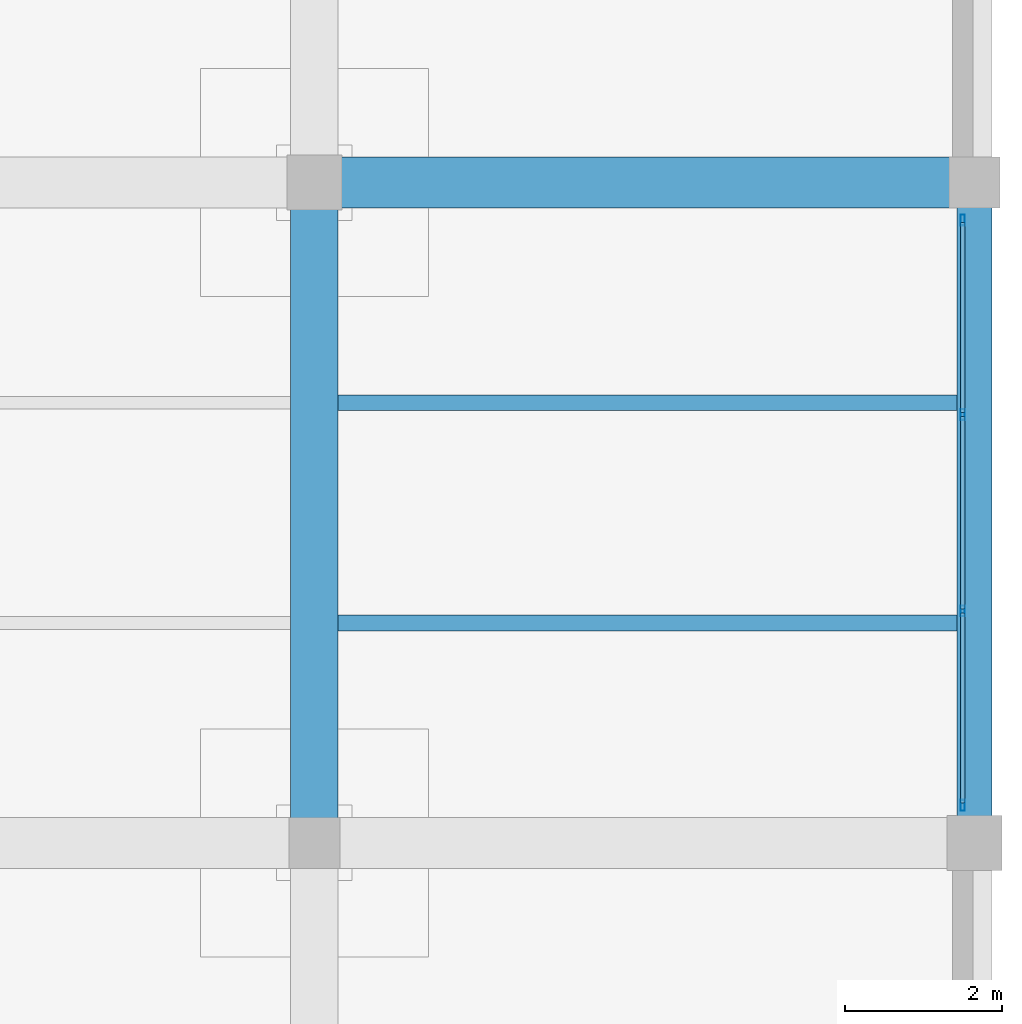
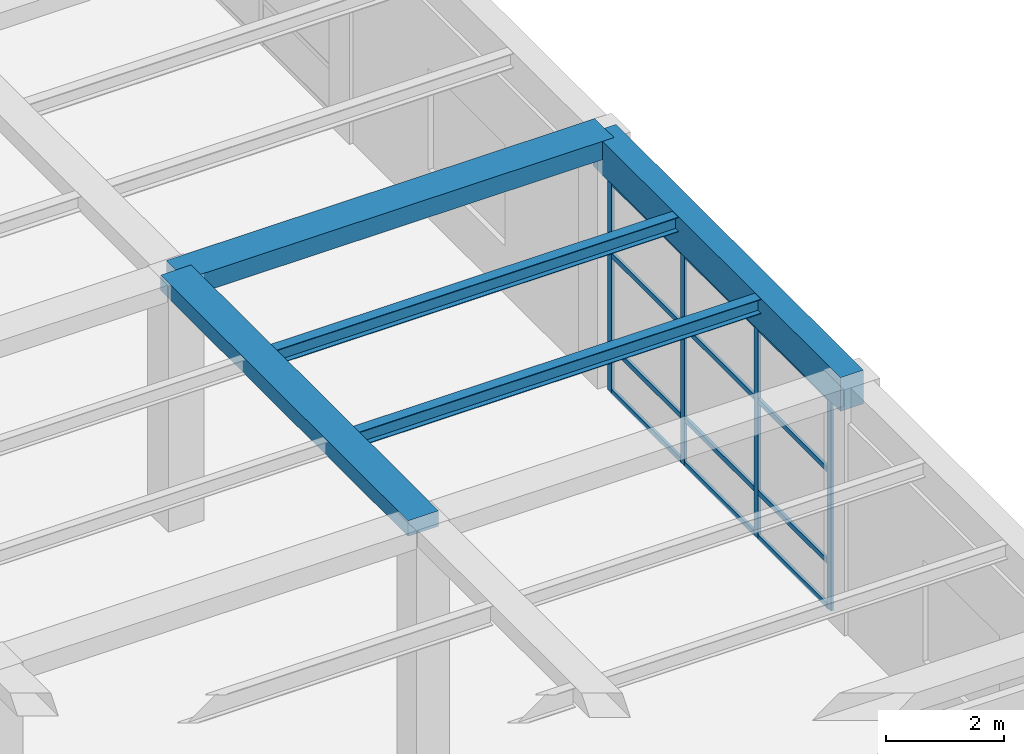
# One storey, part 54 of 95: 16 members, 5 beams, 1 element without a shape of its own.
"""IFC4 building model written with IfcOpenShell, lengths in metres."""

import ifcopenshell
import ifcopenshell.guid

model = None  # the IFC model being written
_history = None  # IfcOwnerHistory: only IFC2X3 demands one
_inside = {}  # id of a spatial element -> (the spatial element, [elements in it])
_under = {}  # id of a project, library or spatial element -> (it, [spatial elements below it])
_declared = {}  # id of a project -> (the project, [libraries it declares])
_typed = {}  # id of a type object -> (the type object, [elements of that type])
_made_of = {}  # id of a material, layer set ... -> (it, [elements and type objects made of it])


def new_model(schema):
    """Start an empty IFC model of exactly this schema.

    Asked for "IFC4X3", IfcOpenShell would pick the latest addendum, in which some entities
    have other attributes; the version numbers below select the first issue.
    IFC2X3 requires an IfcOwnerHistory on every rooted entity: one is made here for all.
    """
    global model, _history
    if schema == "IFC4X3":
        model = ifcopenshell.file(schema_version=(4, 3, 0, 0))
    else:
        model = ifcopenshell.file(schema=schema)
    _inside.clear()
    _under.clear()
    _declared.clear()
    _typed.clear()
    _made_of.clear()
    _history = None
    if model.schema == "IFC2X3":
        org = make("IfcOrganization", Name="unknown")
        user = make(
            "IfcPersonAndOrganization",
            ThePerson=make("IfcPerson", FamilyName="unknown"),
            TheOrganization=org,
        )
        app = make(
            "IfcApplication",
            ApplicationDeveloper=org,
            Version="unknown",
            ApplicationFullName="unknown",
            ApplicationIdentifier="unknown",
        )
        _history = make(
            "IfcOwnerHistory",
            OwningUser=user,
            OwningApplication=app,
            ChangeAction="ADDED",
            CreationDate=0,
        )
    return model


def make(cls, **values):
    """One entity of the class cls with the attributes given. An attribute that is None is left unset."""
    return model.create_entity(
        cls, **{name: value for name, value in values.items() if value is not None}
    )


def rooted(cls, **values):
    """An entity with a GlobalId (a new one), such as an element, a storey or a relation."""
    return make(cls, GlobalId=ifcopenshell.guid.new(), OwnerHistory=_history, **values)


def si_unit(unit_type, name, prefix=None):
    """IfcSIUnit, for example si_unit("LENGTHUNIT", "METRE", prefix="MILLI")."""
    return make("IfcSIUnit", UnitType=unit_type, Prefix=prefix, Name=name)


def assignment(units):
    """IfcUnitAssignment: the units of a project."""
    return None if units is None else make("IfcUnitAssignment", Units=units)


def point(xyz):
    """IfcCartesianPoint."""
    return None if xyz is None else make("IfcCartesianPoint", Coordinates=xyz)


def direction(xyz):
    """IfcDirection."""
    return None if xyz is None else make("IfcDirection", DirectionRatios=xyz)


def frame(location, z_axis=None, x_axis=None):
    """IfcAxis2Placement3D, a coordinate frame: its origin and axes. An axis left out is left unset."""
    return make(
        "IfcAxis2Placement3D",
        Location=point(location),
        Axis=direction(z_axis),
        RefDirection=direction(x_axis),
    )


def frame_2d(location, x_axis=None):
    """IfcAxis2Placement2D, a coordinate frame in the plane: its origin and x axis."""
    return make(
        "IfcAxis2Placement2D", Location=point(location), RefDirection=direction(x_axis)
    )


def origin():
    """The frame at (0, 0, 0) with its axes left unset."""
    return frame((0.0, 0.0, 0.0))


def origin_2d():
    """The frame at (0, 0) in the plane with its x axis left unset."""
    return frame_2d((0.0, 0.0))


def place(relative_to, where):
    """IfcLocalPlacement: puts the frame where relative to a parent placement (None: the world)."""
    return make(
        "IfcLocalPlacement", PlacementRelTo=relative_to, RelativePlacement=where
    )


def context(
    kind, dimensions, precision=None, world=None, true_north=None, identifier=None
):
    """IfcGeometricRepresentationContext, for example the 3D "Model" context."""
    return make(
        "IfcGeometricRepresentationContext",
        ContextIdentifier=identifier,
        ContextType=kind,
        CoordinateSpaceDimension=dimensions,
        Precision=precision,
        WorldCoordinateSystem=world,
        TrueNorth=true_north,
    )


def subcontext(parent, identifier, kind, view, scale=None):
    """IfcGeometricRepresentationSubContext, for example "Body" below "Model"."""
    return make(
        "IfcGeometricRepresentationSubContext",
        ContextIdentifier=identifier,
        ContextType=kind,
        ParentContext=parent,
        TargetScale=scale,
        TargetView=view,
    )


def project(units=None, contexts=None):
    """IfcProject with its units and contexts."""
    return rooted(
        "IfcProject",
        Name="project",
        RepresentationContexts=contexts,
        UnitsInContext=assignment(units),
    )


def spatial(cls, under=None, at=None, **own):
    """A site, building, storey or space (cls), placed at a placement, below another one or the project."""
    s = rooted(cls, ObjectPlacement=at, **own)
    if under is not None:
        _under.setdefault(under.id(), (under, []))[1].append(s)
    return s


def profile(cls, at=None, kind="AREA", **sizes):
    """A parametric profile (cls). Its sizes go by their IFC names, for example OverallWidth=200.0."""
    return make(cls, ProfileType=kind, Position=at, **sizes)


def rectangle(**sizes):
    """IfcRectangleProfileDef."""
    return profile("IfcRectangleProfileDef", **sizes)


def hollow_rectangle(**sizes):
    """IfcRectangleHollowProfileDef."""
    return profile("IfcRectangleHollowProfileDef", **sizes)


def i_section(**sizes):
    """IfcIShapeProfileDef."""
    return profile("IfcIShapeProfileDef", **sizes)


def extrude(swept, where, along, depth):
    """IfcExtrudedAreaSolid: the profile swept, set in the frame where, extruded along a direction by depth."""
    return make(
        "IfcExtrudedAreaSolid",
        SweptArea=swept,
        Position=where,
        ExtrudedDirection=direction(along),
        Depth=depth,
    )


def shape(context_of_items, identifier, shape_type, items):
    """IfcShapeRepresentation: the items that make up one representation, for example the "Body"."""
    return make(
        "IfcShapeRepresentation",
        ContextOfItems=context_of_items,
        RepresentationIdentifier=identifier,
        RepresentationType=shape_type,
        Items=items,
    )


def material(Name=None, Category=None):
    """IfcMaterial."""
    return make("IfcMaterial", Name=Name, Category=Category)


def material_profile(
    of_material, cross_section, Name=None, Category=None, Priority=None
):
    """IfcMaterialProfile: a cross section and its material."""
    return make(
        "IfcMaterialProfile",
        Name=Name,
        Material=of_material,
        Profile=cross_section,
        Priority=Priority,
        Category=Category,
    )


def profile_set(profiles, Name=None, composite=None):
    """IfcMaterialProfileSet."""
    return make(
        "IfcMaterialProfileSet",
        Name=Name,
        MaterialProfiles=profiles,
        CompositeProfile=composite,
    )


def made_of(thing, what):
    """Note that an element or type object is made of a material, layer set ...; save() writes the relation."""
    if what is not None:
        _made_of.setdefault(what.id(), (what, []))[1].append(thing)
    return thing


def type_object(cls, material=None, **own):
    """A type object (cls), such as IfcWallType, which elements share."""
    return made_of(rooted(cls, **own), material)


def element(
    cls,
    number,
    at=None,
    inside=None,
    cuts=None,
    type_object=None,
    material=None,
    context=None,
    identifier="Body",
    shape_type=None,
    held_by="IfcProductDefinitionShape",
    body=None,
    shapes=None,
    **own,
):
    """One element of the class cls, such as IfcWall. Its Tag is "e" and its number.

    at: its placement. inside: the storey or other place that contains it. cuts: it is an
    opening in that element (IfcRelVoidsElement). A single representation is given by context,
    identifier, shape_type and body (its items); several are given by shapes. held_by: the class
    of the entity that holds the representations. save() writes the other relations.
    """
    e = rooted(cls, Tag="e%d" % number, ObjectPlacement=at, **own)
    if body is not None:
        shapes = [shape(context, identifier, shape_type, body)]
    if shapes is not None:
        e.Representation = make(held_by, Representations=shapes)
    if inside is not None:
        _inside.setdefault(inside.id(), (inside, []))[1].append(e)
    if cuts is not None:
        rooted(
            "IfcRelVoidsElement", RelatingBuildingElement=cuts, RelatedOpeningElement=e
        )
    if type_object is not None:
        _typed.setdefault(type_object.id(), (type_object, []))[1].append(e)
    return made_of(e, material)


def aggregate(whole, parts):
    """IfcRelAggregates: a whole, such as a stair, and the parts it consists of."""
    return rooted("IfcRelAggregates", RelatingObject=whole, RelatedObjects=parts)


def save(model, path):
    """Write the relations noted so far, then the file.

    IfcRelAggregates (storeys below a building ...), IfcRelContainedInSpatialStructure (elements
    in a storey), IfcRelDefinesByType, IfcRelAssociatesMaterial and IfcRelDeclares: one each for
    every whole, place, type object, material and project.
    """
    for whole, parts in _under.values():
        aggregate(whole, parts)
    for where, things in _inside.values():
        rooted(
            "IfcRelContainedInSpatialStructure",
            RelatedElements=things,
            RelatingStructure=where,
        )
    for kind, things in _typed.values():
        rooted("IfcRelDefinesByType", RelatedObjects=things, RelatingType=kind)
    for what, things in _made_of.values():
        rooted("IfcRelAssociatesMaterial", RelatedObjects=things, RelatingMaterial=what)
    for by, libraries in _declared.values():
        rooted("IfcRelDeclares", RelatingContext=by, RelatedDefinitions=libraries)
    model.write(path)


model = new_model("IFC4")

# Units and contexts
model_context = context("Model", 3, precision=1e-05, world=origin(), true_north=direction((0.0, 1.0)))
body_context = subcontext(model_context, "Body", "Model", "MODEL_VIEW")
ifc_project = project(units=[si_unit("LENGTHUNIT", "METRE"), si_unit("AREAUNIT", "SQUARE_METRE"), si_unit("VOLUMEUNIT", "CUBIC_METRE"), si_unit("PLANEANGLEUNIT", "RADIAN"), si_unit("MASSUNIT", "GRAM", prefix="KILO")], contexts=[model_context])

# Site, building, storey
site_placement = place(None, origin())
site = spatial("IfcSite", under=ifc_project, at=site_placement, CompositionType="ELEMENT")
building_placement = place(site_placement, origin())
building = spatial("IfcBuilding", under=site, at=building_placement, Name="Almacenes y Pasaje Nevantli", CompositionType="ELEMENT")
storey_placement = place(building_placement, frame((0.0, 0.0, 11.39990234375)))
storey = spatial("IfcBuildingStorey", under=building, at=storey_placement, Name="L03", CompositionType="ELEMENT", Elevation=11.39990234375)

# Beams
ifc_material_1 = material(Name="Concrete C35/45", Category="concrete")
ifc_material_profile_1 = material_profile(ifc_material_1, rectangle(XDim=0.449951171875, YDim=0.699951171875, at=origin_2d()), Name="RC-BM-450x700")
ifc_profile_set_1 = profile_set([ifc_material_profile_1], Name="Concrete C35/45")
beam_type_1 = type_object("IfcBeamType", Name="BM-RC-450x700", PredefinedType="SPANDREL", material=ifc_profile_set_1)
beam_1_placement = place(storey_placement, frame((168.0, 50.39990234375, 4.75), z_axis=(0.0, 1.0, 0.0), x_axis=(-1.0, 0.0, 0.0)))
element("IfcBeam", 1, at=beam_1_placement, inside=storey, type_object=beam_type_1, Name="L03 North-South Reinforced Concrete Beam #2708", PredefinedType="SPANDREL", context=body_context, shape_type="SweptSolid", body=[
    extrude(rectangle(XDim=0.449951171875, YDim=0.699951171875, at=origin_2d()), origin(), (0.0, 0.0, 1.0), 8.400146484375),
])
ifc_material_2 = material(Name="Concrete C35/45", Category="concrete")
ifc_material_profile_2 = material_profile(ifc_material_2, rectangle(XDim=0.60009765625, YDim=0.320068359375, at=origin_2d()), Name="RC-BM-600x320")
ifc_profile_set_2 = profile_set([ifc_material_profile_2], Name="Concrete C35/45")
beam_type_2 = type_object("IfcBeamType", Name="BM-RC-600x320", PredefinedType="BEAM", material=ifc_profile_set_2)
beam_2_placement = place(storey_placement, frame((159.60009765625, 50.39990234375, 4.940185546875), z_axis=(0.0, 1.0, 0.0), x_axis=(-1.0, 0.0, 0.0)))
element("IfcBeam", 2, at=beam_2_placement, inside=storey, type_object=beam_type_2, Name="L03 North-South Reinforced Concrete Beam #2694", PredefinedType="BEAM", context=body_context, shape_type="SweptSolid", body=[
    extrude(rectangle(XDim=0.60009765625, YDim=0.320068359375, at=origin_2d()), origin(), (0.0, 0.0, 1.0), 8.400146484375),
])
ifc_material_3 = material(Name="Concrete C35/45", Category="concrete")
ifc_material_profile_3 = material_profile(ifc_material_3, rectangle(XDim=0.64990234375, YDim=0.3798828125, at=origin_2d()), Name="RC-BM-650x380")
ifc_profile_set_3 = profile_set([ifc_material_profile_3], Name="Concrete C35/45")
beam_type_3 = type_object("IfcBeamType", Name="BM-RC-650x380", PredefinedType="BEAM", material=ifc_profile_set_3)
beam_3_placement = place(storey_placement, frame((159.60009765625, 58.800048828125, 4.91015625), z_axis=(1.0, 0.0, 0.0), x_axis=(0.0, 1.0, 0.0)))
element("IfcBeam", 3, at=beam_3_placement, inside=storey, type_object=beam_type_3, Name="L03 East-West Reinforced Concrete Beam #2360", PredefinedType="BEAM", context=body_context, shape_type="SweptSolid", body=[
    extrude(rectangle(XDim=0.64990234375, YDim=0.3798828125, at=origin_2d()), origin(), (0.0, 0.0, 1.0), 8.39990234375),
])
ifc_material_4 = material(Name="Steel ASTM A992", Category="steel")
ifc_material_profile_4 = material_profile(ifc_material_4, i_section(OverallWidth=0.202880859375, OverallDepth=0.304931640625, WebThickness=0.007568359375, FlangeThickness=0.01318359375, at=origin_2d()), Name="IR 305x59.5")
ifc_profile_set_4 = profile_set([ifc_material_profile_4], Name="Steel ASTM A992")
beam_type_4 = type_object("IfcBeamType", Name="BM-STL-IR-305x59p5", PredefinedType="JOIST", material=ifc_profile_set_4)
for number, where, z_axis, x_axis, name in (
    (4, (159.89990234375, 53.199951171875, 4.939697265625), (1.0, 0.0, 0.0), (0.0, 1.0, 0.0), "L03 Secondary Steel Floor Joist #999"),
    (5, (159.89990234375, 56.0, 4.939697265625), (1.0, 0.0, 0.0), (0.0, 1.0, 0.0), "L03 Secondary Steel Floor Joist #1000"),
):
    element("IfcBeam", number, at=place(storey_placement, frame(where, z_axis=z_axis, x_axis=x_axis)), inside=storey, type_object=beam_type_4, Name=name, PredefinedType="JOIST", context=body_context, shape_type="SweptSolid", body=[
        extrude(i_section(OverallWidth=0.202880859375, OverallDepth=0.304931640625, WebThickness=0.007568359375, FlangeThickness=0.01318359375, at=origin_2d()), origin(), (0.0, 0.0, 1.0), 7.875),
    ])

# Curtain wall, members
ifc_material_5 = material(Name="Thermally Broken Aluminium and Low-E Glass", Category="aluminium")
curtain_wall_type = type_object("IfcCurtainWallType", Name="CW-UNIT-PODIUM", PredefinedType="USERDEFINED", material=ifc_material_5)
curtain_wall_placement = place(storey_placement, origin())
curtain_wall = element("IfcCurtainWall", 6, at=curtain_wall_placement, inside=storey, type_object=curtain_wall_type, Name="L03 East Office Wing Curtain Wall Bay 7", ObjectType="UNITIZED CURTAIN WALL", PredefinedType="USERDEFINED")
ifc_material_6 = material(Name="Thermally Broken Anodized Aluminium", Category="aluminium")
ifc_material_profile_5 = material_profile(ifc_material_6, hollow_rectangle(XDim=0.054931640625, YDim=0.139892578125, WallThickness=0.00341796875, at=origin_2d()), Name="ALU-MUL-55x140")
ifc_profile_set_5 = profile_set([ifc_material_profile_5], Name="Thermally Broken Anodized Aluminium")
member_type_1 = type_object("IfcMemberType", Name="CW-MUL-160", PredefinedType="MULLION", material=ifc_profile_set_5)
member_1_placement = place(storey_placement, frame((167.85009765625, 50.87744140625, 0.0), z_axis=(0.0, 0.0, 1.0), x_axis=(-1.0, 0.0, 0.0)))
member_1 = element("IfcMember", 7, at=member_1_placement, type_object=member_type_1, Name="CW-L03-054 mullion 1", PredefinedType="MULLION", context=body_context, shape_type="SweptSolid", body=[
    extrude(hollow_rectangle(XDim=0.054931640625, YDim=0.139892578125, WallThickness=0.00341796875, at=origin_2d()), origin(), (0.0, 0.0, 1.0), 4.380126953125),
])
member_2_placement = place(storey_placement, frame((167.85009765625, 53.35009765625, 0.0), z_axis=(0.0, 0.0, 1.0), x_axis=(-1.0, 0.0, 0.0)))
member_2 = element("IfcMember", 8, at=member_2_placement, type_object=member_type_1, Name="CW-L03-054 mullion 2", PredefinedType="MULLION", context=body_context, shape_type="SweptSolid", body=[
    extrude(hollow_rectangle(XDim=0.054931640625, YDim=0.139892578125, WallThickness=0.00341796875, at=origin_2d()), origin(), (0.0, 0.0, 1.0), 4.380126953125),
])
member_3_placement = place(storey_placement, frame((167.85009765625, 55.85009765625, 0.0), z_axis=(0.0, 0.0, 1.0), x_axis=(-1.0, 0.0, 0.0)))
member_3 = element("IfcMember", 9, at=member_3_placement, type_object=member_type_1, Name="CW-L03-054 mullion 3", PredefinedType="MULLION", context=body_context, shape_type="SweptSolid", body=[
    extrude(hollow_rectangle(XDim=0.054931640625, YDim=0.139892578125, WallThickness=0.00341796875, at=origin_2d()), origin(), (0.0, 0.0, 1.0), 4.380126953125),
])
member_4_placement = place(storey_placement, frame((167.85009765625, 58.322509765625, 0.0), z_axis=(0.0, 0.0, 1.0), x_axis=(-1.0, 0.0, 0.0)))
member_4 = element("IfcMember", 10, at=member_4_placement, type_object=member_type_1, Name="CW-L03-054 mullion 4", PredefinedType="MULLION", context=body_context, shape_type="SweptSolid", body=[
    extrude(hollow_rectangle(XDim=0.054931640625, YDim=0.139892578125, WallThickness=0.00341796875, at=origin_2d()), origin(), (0.0, 0.0, 1.0), 4.380126953125),
])
ifc_material_7 = material(Name="Thermally Broken Anodized Aluminium", Category="aluminium")
ifc_material_profile_6 = material_profile(ifc_material_7, hollow_rectangle(XDim=0.054931640625, YDim=0.10498046875, WallThickness=0.003173828125, at=origin_2d()), Name="ALU-TRN-55x105")
ifc_profile_set_6 = profile_set([ifc_material_profile_6], Name="Thermally Broken Anodized Aluminium")
member_type_2 = type_object("IfcMemberType", Name="CW-TRN-120", PredefinedType="USERDEFINED", material=ifc_profile_set_6)
member_5_placement = place(storey_placement, frame((167.85009765625, 50.905029296875, 0.027587890625), z_axis=(0.0, 1.0, 0.0), x_axis=(-1.0, 0.0, 0.0)))
member_5 = element("IfcMember", 11, at=member_5_placement, type_object=member_type_2, Name="CW-L03-054 transom 1.1", ObjectType="TRANSOM", PredefinedType="USERDEFINED", context=body_context, shape_type="SweptSolid", body=[
    extrude(hollow_rectangle(XDim=0.054931640625, YDim=0.10498046875, WallThickness=0.003173828125, at=origin_2d()), origin(), (0.0, 0.0, 1.0), 2.41748046875),
])
member_6_placement = place(storey_placement, frame((167.85009765625, 50.905029296875, 0.9501953125), z_axis=(0.0, 1.0, 0.0), x_axis=(-1.0, 0.0, 0.0)))
member_6 = element("IfcMember", 12, at=member_6_placement, type_object=member_type_2, Name="CW-L03-054 transom 1.2", ObjectType="TRANSOM", PredefinedType="USERDEFINED", context=body_context, shape_type="SweptSolid", body=[
    extrude(hollow_rectangle(XDim=0.054931640625, YDim=0.10498046875, WallThickness=0.003173828125, at=origin_2d()), origin(), (0.0, 0.0, 1.0), 2.41748046875),
])
member_7_placement = place(storey_placement, frame((167.85009765625, 50.905029296875, 2.85009765625), z_axis=(0.0, 1.0, 0.0), x_axis=(-1.0, 0.0, 0.0)))
member_7 = element("IfcMember", 13, at=member_7_placement, type_object=member_type_2, Name="CW-L03-054 transom 1.3", ObjectType="TRANSOM", PredefinedType="USERDEFINED", context=body_context, shape_type="SweptSolid", body=[
    extrude(hollow_rectangle(XDim=0.054931640625, YDim=0.10498046875, WallThickness=0.003173828125, at=origin_2d()), origin(), (0.0, 0.0, 1.0), 2.41748046875),
])
member_8_placement = place(storey_placement, frame((167.85009765625, 50.905029296875, 4.3525390625), z_axis=(0.0, 1.0, 0.0), x_axis=(-1.0, 0.0, 0.0)))
member_8 = element("IfcMember", 14, at=member_8_placement, type_object=member_type_2, Name="CW-L03-054 transom 1.4", ObjectType="TRANSOM", PredefinedType="USERDEFINED", context=body_context, shape_type="SweptSolid", body=[
    extrude(hollow_rectangle(XDim=0.054931640625, YDim=0.10498046875, WallThickness=0.003173828125, at=origin_2d()), origin(), (0.0, 0.0, 1.0), 2.41748046875),
])
member_9_placement = place(storey_placement, frame((167.85009765625, 53.37744140625, 0.027587890625), z_axis=(0.0, 1.0, 0.0), x_axis=(-1.0, 0.0, 0.0)))
member_9 = element("IfcMember", 15, at=member_9_placement, type_object=member_type_2, Name="CW-L03-054 transom 2.1", ObjectType="TRANSOM", PredefinedType="USERDEFINED", context=body_context, shape_type="SweptSolid", body=[
    extrude(hollow_rectangle(XDim=0.054931640625, YDim=0.10498046875, WallThickness=0.003173828125, at=origin_2d()), origin(), (0.0, 0.0, 1.0), 2.445068359375),
])
member_10_placement = place(storey_placement, frame((167.85009765625, 53.37744140625, 0.9501953125), z_axis=(0.0, 1.0, 0.0), x_axis=(-1.0, 0.0, 0.0)))
member_10 = element("IfcMember", 16, at=member_10_placement, type_object=member_type_2, Name="CW-L03-054 transom 2.2", ObjectType="TRANSOM", PredefinedType="USERDEFINED", context=body_context, shape_type="SweptSolid", body=[
    extrude(hollow_rectangle(XDim=0.054931640625, YDim=0.10498046875, WallThickness=0.003173828125, at=origin_2d()), origin(), (0.0, 0.0, 1.0), 2.445068359375),
])
member_11_placement = place(storey_placement, frame((167.85009765625, 53.37744140625, 2.85009765625), z_axis=(0.0, 1.0, 0.0), x_axis=(-1.0, 0.0, 0.0)))
member_11 = element("IfcMember", 17, at=member_11_placement, type_object=member_type_2, Name="CW-L03-054 transom 2.3", ObjectType="TRANSOM", PredefinedType="USERDEFINED", context=body_context, shape_type="SweptSolid", body=[
    extrude(hollow_rectangle(XDim=0.054931640625, YDim=0.10498046875, WallThickness=0.003173828125, at=origin_2d()), origin(), (0.0, 0.0, 1.0), 2.445068359375),
])
member_12_placement = place(storey_placement, frame((167.85009765625, 53.37744140625, 4.3525390625), z_axis=(0.0, 1.0, 0.0), x_axis=(-1.0, 0.0, 0.0)))
member_12 = element("IfcMember", 18, at=member_12_placement, type_object=member_type_2, Name="CW-L03-054 transom 2.4", ObjectType="TRANSOM", PredefinedType="USERDEFINED", context=body_context, shape_type="SweptSolid", body=[
    extrude(hollow_rectangle(XDim=0.054931640625, YDim=0.10498046875, WallThickness=0.003173828125, at=origin_2d()), origin(), (0.0, 0.0, 1.0), 2.445068359375),
])
member_13_placement = place(storey_placement, frame((167.85009765625, 55.87744140625, 0.027587890625), z_axis=(0.0, 1.0, 0.0), x_axis=(-1.0, 0.0, 0.0)))
member_13 = element("IfcMember", 19, at=member_13_placement, type_object=member_type_2, Name="CW-L03-054 transom 3.1", ObjectType="TRANSOM", PredefinedType="USERDEFINED", context=body_context, shape_type="SweptSolid", body=[
    extrude(hollow_rectangle(XDim=0.054931640625, YDim=0.10498046875, WallThickness=0.003173828125, at=origin_2d()), origin(), (0.0, 0.0, 1.0), 2.41748046875),
])
member_14_placement = place(storey_placement, frame((167.85009765625, 55.87744140625, 0.9501953125), z_axis=(0.0, 1.0, 0.0), x_axis=(-1.0, 0.0, 0.0)))
member_14 = element("IfcMember", 20, at=member_14_placement, type_object=member_type_2, Name="CW-L03-054 transom 3.2", ObjectType="TRANSOM", PredefinedType="USERDEFINED", context=body_context, shape_type="SweptSolid", body=[
    extrude(hollow_rectangle(XDim=0.054931640625, YDim=0.10498046875, WallThickness=0.003173828125, at=origin_2d()), origin(), (0.0, 0.0, 1.0), 2.41748046875),
])
member_15_placement = place(storey_placement, frame((167.85009765625, 55.87744140625, 2.85009765625), z_axis=(0.0, 1.0, 0.0), x_axis=(-1.0, 0.0, 0.0)))
member_15 = element("IfcMember", 21, at=member_15_placement, type_object=member_type_2, Name="CW-L03-054 transom 3.3", ObjectType="TRANSOM", PredefinedType="USERDEFINED", context=body_context, shape_type="SweptSolid", body=[
    extrude(hollow_rectangle(XDim=0.054931640625, YDim=0.10498046875, WallThickness=0.003173828125, at=origin_2d()), origin(), (0.0, 0.0, 1.0), 2.41748046875),
])
member_16_placement = place(storey_placement, frame((167.85009765625, 55.87744140625, 4.3525390625), z_axis=(0.0, 1.0, 0.0), x_axis=(-1.0, 0.0, 0.0)))
member_16 = element("IfcMember", 22, at=member_16_placement, type_object=member_type_2, Name="CW-L03-054 transom 3.4", ObjectType="TRANSOM", PredefinedType="USERDEFINED", context=body_context, shape_type="SweptSolid", body=[
    extrude(hollow_rectangle(XDim=0.054931640625, YDim=0.10498046875, WallThickness=0.003173828125, at=origin_2d()), origin(), (0.0, 0.0, 1.0), 2.41748046875),
])
aggregate(curtain_wall, [member_1, member_2, member_3, member_4, member_5, member_6, member_7, member_8, member_9, member_10, member_11, member_12, member_13, member_14, member_15, member_16])

save(model, "model.ifc")
